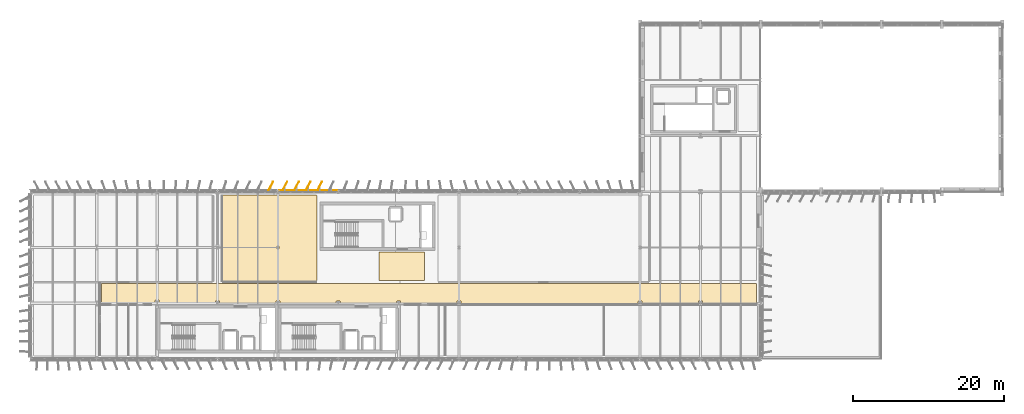
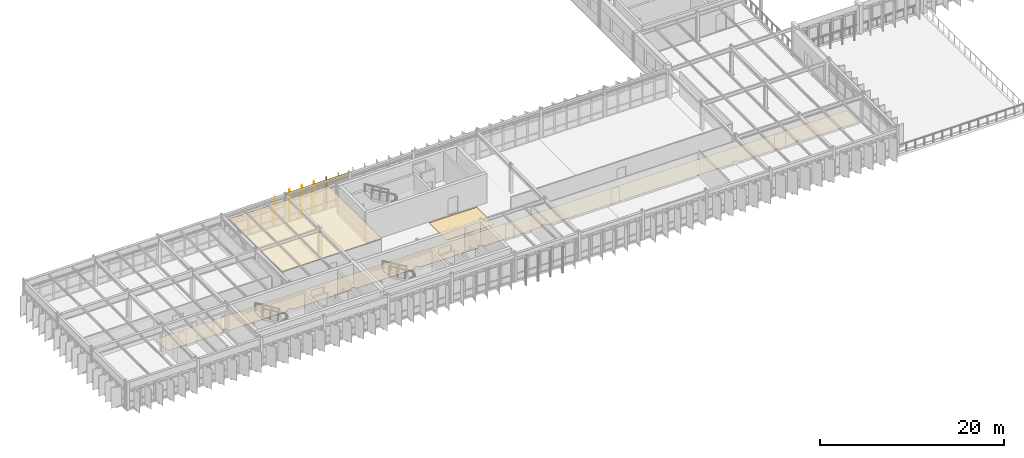
# One storey, part 41 of 45: 9 coverings.
"""IFC4 building model written with IfcOpenShell, lengths in metres."""

from ifc_helpers import new_model, si_unit, direction, frame, frame_2d, origin, origin_2d, place, context, subcontext, project, spatial, polyline, rectangle, outline, extrude, material, layer, layer_set, type_object, element, save


model = new_model("IFC4")

# Units and contexts
model_context = context("Model", 3, precision=1e-05, world=origin(), true_north=direction((0.0, 1.0)))
body_context = subcontext(model_context, "Body", "Model", "MODEL_VIEW")
ifc_project = project(units=[si_unit("LENGTHUNIT", "METRE"), si_unit("AREAUNIT", "SQUARE_METRE"), si_unit("VOLUMEUNIT", "CUBIC_METRE"), si_unit("PLANEANGLEUNIT", "RADIAN"), si_unit("MASSUNIT", "GRAM", prefix="KILO")], contexts=[model_context])

# Site, building, storey
site_placement = place(None, origin())
site = spatial("IfcSite", under=ifc_project, at=site_placement, CompositionType="ELEMENT")
building_placement = place(site_placement, origin())
building = spatial("IfcBuilding", under=site, at=building_placement, Name="Valkorina Park Police Headquarters", CompositionType="ELEMENT")
storey_placement = place(building_placement, frame((0.0, 0.0, 23.300048828125)))
storey = spatial("IfcBuildingStorey", under=building, at=storey_placement, Name="L06", CompositionType="ELEMENT", Elevation=23.300048828125)

# Coverings
ifc_material_1 = material(Name="Acoustic mineral board")
ifc_layer_1 = layer(ifc_material_1, 0.02490234375)
ifc_layer_set_1 = layer_set([ifc_layer_1], Name="Acoustic mineral board")
covering_type_1 = type_object("IfcCoveringType", Name="COV-CEILING-ACOUST", PredefinedType="CEILING", material=ifc_layer_set_1)
covering_1_placement = place(storey_placement, frame((0.0, 0.0, 3.204833984375)))
element("IfcCovering", 1, at=covering_1_placement, inside=storey, type_object=covering_type_1, Name="Organized Crime Taskforce Suite Acoustic Suspended Ceiling", PredefinedType="CEILING", context=body_context, shape_type="SweptSolid", body=[
    extrude(outline(polyline([(37.8955078125, 58.758544921875), (37.8876953125, 58.759521484375), (37.8798828125, 58.760009765625), (25.52001953125, 58.760009765625), (25.51220703125, 58.759521484375), (25.50439453125, 58.758544921875), (25.496826171875, 58.756591796875), (25.489501953125, 58.75390625), (25.482421875, 58.75048828125), (25.4755859375, 58.74658203125), (25.46923828125, 58.74169921875), (25.46337890625, 58.736572265625), (25.458251953125, 58.730712890625), (25.45361328125, 58.724365234375), (25.449462890625, 58.7177734375), (25.446044921875, 58.710693359375), (25.443359375, 58.703125), (25.44140625, 58.695556640625), (25.4404296875, 58.687744140625), (25.43994140625, 58.679931640625), (25.43994140625, 47.320068359375), (25.4404296875, 47.312255859375), (25.44140625, 47.304443359375), (25.443359375, 47.296875), (25.446044921875, 47.289306640625), (25.449462890625, 47.2822265625), (25.45361328125, 47.275634765625), (25.458251953125, 47.269287109375), (25.46337890625, 47.263427734375), (25.46923828125, 47.25830078125), (25.4755859375, 47.25341796875), (25.482421875, 47.24951171875), (25.489501953125, 47.24609375), (25.496826171875, 47.243408203125), (25.50439453125, 47.241455078125), (25.51220703125, 47.240478515625), (25.52001953125, 47.239990234375), (37.8798828125, 47.239990234375), (37.8876953125, 47.240478515625), (37.8955078125, 47.241455078125), (37.9033203125, 47.243408203125), (37.91064453125, 47.24609375), (37.917724609375, 47.24951171875), (37.92431640625, 47.25341796875), (37.930908203125, 47.25830078125), (37.9365234375, 47.263427734375), (37.94189453125, 47.269287109375), (37.946533203125, 47.275634765625), (37.95068359375, 47.2822265625), (37.953857421875, 47.289306640625), (37.95654296875, 47.296875), (37.95849609375, 47.304443359375), (37.959716796875, 47.312255859375), (37.9599609375, 47.320068359375), (37.9599609375, 58.679931640625), (37.959716796875, 58.687744140625), (37.95849609375, 58.695556640625), (37.95654296875, 58.703125), (37.953857421875, 58.710693359375), (37.95068359375, 58.7177734375), (37.946533203125, 58.724365234375), (37.94189453125, 58.730712890625), (37.9365234375, 58.736572265625), (37.930908203125, 58.74169921875), (37.92431640625, 58.74658203125), (37.917724609375, 58.75048828125), (37.91064453125, 58.75390625), (37.9033203125, 58.756591796875), (37.8955078125, 58.758544921875)]), holes=[polyline([(32.64990234375, 51.97998046875), (32.949951171875, 51.97998046875), (32.949951171875, 51.6201171875), (32.64990234375, 51.6201171875), (32.64990234375, 51.97998046875)])]), origin(), (0.0, 0.0, 1.0), 0.025146484375),
])
ifc_material_2 = material(Name="Precast concrete C40/50", Category="concrete")
ifc_layer_2 = layer(ifc_material_2, 0.044921875)
ifc_layer_set_2 = layer_set([ifc_layer_2], Name="Precast concrete C40/50")
covering_type_2 = type_object("IfcCoveringType", Name="COV-CLAD-DOLOMITE", PredefinedType="CLADDING", material=ifc_layer_set_2)
covering_2_placement = place(storey_placement, frame((32.9599609375, 59.360107421875, 3.219970703125), z_axis=(0.0, 0.0, 1.0), x_axis=(1.0, 0.0, 0.0)))
element("IfcCovering", 2, at=covering_2_placement, inside=storey, type_object=covering_type_2, Name="L06 Spandrel Beam Insulated Fascia 2481", PredefinedType="CLADDING", context=body_context, shape_type="SweptSolid", body=[
    extrude(rectangle(XDim=7.679931640625, YDim=0.044921875, at=frame_2d((3.83984375, 0.0))), origin(), (0.0, 0.0, 1.0), 0.4599609375),
])
ifc_material_3 = material(Name="Resin terrazzo flooring")
ifc_layer_3 = layer(ifc_material_3, 0.030029296875)
ifc_layer_set_3 = layer_set([ifc_layer_3], Name="Resin terrazzo flooring")
covering_type_3 = type_object("IfcCoveringType", Name="COV-FLOOR-TERRAZZO", PredefinedType="FLOORING", material=ifc_layer_set_3)
covering_3_placement = place(storey_placement, origin())
element("IfcCovering", 3, at=covering_3_placement, inside=storey, type_object=covering_type_3, Name="L06 Major-Crime Investigation Corridor Terrazzo Flooring", PredefinedType="FLOORING", context=body_context, shape_type="SweptSolid", body=[
    extrude(outline(polyline([(9.39990234375, 47.0), (9.39990234375, 44.39990234375), (16.530029296875, 44.39990234375), (16.530029296875, 44.739990234375), (16.530517578125, 44.747802734375), (16.531494140625, 44.755615234375), (16.533447265625, 44.76318359375), (16.5361328125, 44.7705078125), (16.539306640625, 44.777587890625), (16.54345703125, 44.784423828125), (16.548095703125, 44.790771484375), (16.553466796875, 44.796630859375), (16.55908203125, 44.8017578125), (16.565673828125, 44.806396484375), (16.572265625, 44.810546875), (16.579345703125, 44.81396484375), (16.5869140625, 44.816650390625), (16.594482421875, 44.818603515625), (16.602294921875, 44.819580078125), (16.610107421875, 44.820068359375), (16.989990234375, 44.820068359375), (16.997802734375, 44.819580078125), (17.005615234375, 44.818603515625), (17.01318359375, 44.816650390625), (17.0205078125, 44.81396484375), (17.027587890625, 44.810546875), (17.034423828125, 44.806396484375), (17.040771484375, 44.8017578125), (17.046630859375, 44.796630859375), (17.0517578125, 44.790771484375), (17.056396484375, 44.784423828125), (17.060546875, 44.777587890625), (17.06396484375, 44.7705078125), (17.066650390625, 44.76318359375), (17.068603515625, 44.755615234375), (17.069580078125, 44.747802734375), (17.070068359375, 44.739990234375), (17.070068359375, 44.39990234375), (24.530029296875, 44.39990234375), (24.530029296875, 44.6201171875), (24.530517578125, 44.627685546875), (24.531494140625, 44.635498046875), (24.533447265625, 44.643310546875), (24.5361328125, 44.650634765625), (24.539306640625, 44.65771484375), (24.54345703125, 44.664306640625), (24.548095703125, 44.6708984375), (24.553466796875, 44.676513671875), (24.55908203125, 44.681884765625), (24.565673828125, 44.6865234375), (24.572265625, 44.690673828125), (24.579345703125, 44.69384765625), (24.5869140625, 44.696533203125), (24.594482421875, 44.698486328125), (24.602294921875, 44.69970703125), (24.610107421875, 44.699951171875), (24.989990234375, 44.699951171875), (24.997802734375, 44.69970703125), (25.005615234375, 44.698486328125), (25.01318359375, 44.696533203125), (25.0205078125, 44.69384765625), (25.027587890625, 44.690673828125), (25.034423828125, 44.6865234375), (25.040771484375, 44.681884765625), (25.046630859375, 44.676513671875), (25.0517578125, 44.6708984375), (25.056396484375, 44.664306640625), (25.060546875, 44.65771484375), (25.06396484375, 44.650634765625), (25.066650390625, 44.643310546875), (25.068603515625, 44.635498046875), (25.069580078125, 44.627685546875), (25.070068359375, 44.6201171875), (25.070068359375, 44.39990234375), (32.530029296875, 44.39990234375), (32.530029296875, 44.6201171875), (32.530517578125, 44.627685546875), (32.531494140625, 44.635498046875), (32.533447265625, 44.643310546875), (32.5361328125, 44.650634765625), (32.539306640625, 44.65771484375), (32.54345703125, 44.664306640625), (32.548095703125, 44.6708984375), (32.553466796875, 44.676513671875), (32.55908203125, 44.681884765625), (32.565673828125, 44.6865234375), (32.572265625, 44.690673828125), (32.579345703125, 44.69384765625), (32.5869140625, 44.696533203125), (32.594482421875, 44.698486328125), (32.602294921875, 44.69970703125), (32.610107421875, 44.699951171875), (32.989990234375, 44.699951171875), (32.997802734375, 44.69970703125), (33.005615234375, 44.698486328125), (33.01318359375, 44.696533203125), (33.0205078125, 44.69384765625), (33.027587890625, 44.690673828125), (33.034423828125, 44.6865234375), (33.040771484375, 44.681884765625), (33.046630859375, 44.676513671875), (33.0517578125, 44.6708984375), (33.056396484375, 44.664306640625), (33.060546875, 44.65771484375), (33.06396484375, 44.650634765625), (33.066650390625, 44.643310546875), (33.068603515625, 44.635498046875), (33.069580078125, 44.627685546875), (33.070068359375, 44.6201171875), (33.070068359375, 44.39990234375), (40.530029296875, 44.39990234375), (40.530029296875, 44.6201171875), (40.530517578125, 44.627685546875), (40.531494140625, 44.635498046875), (40.533447265625, 44.643310546875), (40.5361328125, 44.650634765625), (40.539306640625, 44.65771484375), (40.54345703125, 44.664306640625), (40.548095703125, 44.6708984375), (40.553466796875, 44.676513671875), (40.55908203125, 44.681884765625), (40.565673828125, 44.6865234375), (40.572265625, 44.690673828125), (40.579345703125, 44.69384765625), (40.5869140625, 44.696533203125), (40.594482421875, 44.698486328125), (40.602294921875, 44.69970703125), (40.610107421875, 44.699951171875), (40.989990234375, 44.699951171875), (40.997802734375, 44.69970703125), (41.005615234375, 44.698486328125), (41.01318359375, 44.696533203125), (41.0205078125, 44.69384765625), (41.027587890625, 44.690673828125), (41.034423828125, 44.6865234375), (41.040771484375, 44.681884765625), (41.046630859375, 44.676513671875), (41.0517578125, 44.6708984375), (41.056396484375, 44.664306640625), (41.060546875, 44.65771484375), (41.06396484375, 44.650634765625), (41.066650390625, 44.643310546875), (41.068603515625, 44.635498046875), (41.069580078125, 44.627685546875), (41.070068359375, 44.6201171875), (41.070068359375, 44.39990234375), (48.530029296875, 44.39990234375), (48.530029296875, 44.6201171875), (48.530517578125, 44.627685546875), (48.531494140625, 44.635498046875), (48.533447265625, 44.643310546875), (48.5361328125, 44.650634765625), (48.539306640625, 44.65771484375), (48.54345703125, 44.664306640625), (48.548095703125, 44.6708984375), (48.553466796875, 44.676513671875), (48.55908203125, 44.681884765625), (48.565673828125, 44.6865234375), (48.572265625, 44.690673828125), (48.579345703125, 44.69384765625), (48.5869140625, 44.696533203125), (48.594482421875, 44.698486328125), (48.602294921875, 44.69970703125), (48.610107421875, 44.699951171875), (48.989990234375, 44.699951171875), (48.997802734375, 44.69970703125), (49.005615234375, 44.698486328125), (49.01318359375, 44.696533203125), (49.0205078125, 44.69384765625), (49.027587890625, 44.690673828125), (49.034423828125, 44.6865234375), (49.040771484375, 44.681884765625), (49.046630859375, 44.676513671875), (49.0517578125, 44.6708984375), (49.056396484375, 44.664306640625), (49.060546875, 44.65771484375), (49.06396484375, 44.650634765625), (49.066650390625, 44.643310546875), (49.068603515625, 44.635498046875), (49.069580078125, 44.627685546875), (49.070068359375, 44.6201171875), (49.070068359375, 44.39990234375), (56.530029296875, 44.39990234375), (56.530029296875, 44.6201171875), (56.530517578125, 44.627685546875), (56.531494140625, 44.635498046875), (56.533447265625, 44.643310546875), (56.5361328125, 44.650634765625), (56.539306640625, 44.65771484375), (56.54345703125, 44.664306640625), (56.548095703125, 44.6708984375), (56.553466796875, 44.676513671875), (56.55908203125, 44.681884765625), (56.565673828125, 44.6865234375), (56.572265625, 44.690673828125), (56.579345703125, 44.69384765625), (56.5869140625, 44.696533203125), (56.594482421875, 44.698486328125), (56.602294921875, 44.69970703125), (56.610107421875, 44.699951171875), (56.989990234375, 44.699951171875), (56.997802734375, 44.69970703125), (57.005615234375, 44.698486328125), (57.01318359375, 44.696533203125), (57.0205078125, 44.69384765625), (57.027587890625, 44.690673828125), (57.034423828125, 44.6865234375), (57.040771484375, 44.681884765625), (57.046630859375, 44.676513671875), (57.0517578125, 44.6708984375), (57.056396484375, 44.664306640625), (57.060546875, 44.65771484375), (57.06396484375, 44.650634765625), (57.066650390625, 44.643310546875), (57.068603515625, 44.635498046875), (57.069580078125, 44.627685546875), (57.070068359375, 44.6201171875), (57.070068359375, 44.39990234375), (80.530029296875, 44.39990234375), (80.530029296875, 44.6201171875), (80.530517578125, 44.627685546875), (80.531494140625, 44.635498046875), (80.533447265625, 44.643310546875), (80.5361328125, 44.650634765625), (80.539306640625, 44.65771484375), (80.54345703125, 44.664306640625), (80.548095703125, 44.6708984375), (80.553466796875, 44.676513671875), (80.55908203125, 44.681884765625), (80.565673828125, 44.6865234375), (80.572265625, 44.690673828125), (80.579345703125, 44.69384765625), (80.5869140625, 44.696533203125), (80.594482421875, 44.698486328125), (80.602294921875, 44.69970703125), (80.610107421875, 44.699951171875), (80.989990234375, 44.699951171875), (80.997802734375, 44.69970703125), (81.005615234375, 44.698486328125), (81.01318359375, 44.696533203125), (81.0205078125, 44.69384765625), (81.027587890625, 44.690673828125), (81.034423828125, 44.6865234375), (81.040771484375, 44.681884765625), (81.046630859375, 44.676513671875), (81.0517578125, 44.6708984375), (81.056396484375, 44.664306640625), (81.060546875, 44.65771484375), (81.06396484375, 44.650634765625), (81.066650390625, 44.643310546875), (81.068603515625, 44.635498046875), (81.069580078125, 44.627685546875), (81.070068359375, 44.6201171875), (81.070068359375, 44.39990234375), (88.530029296875, 44.39990234375), (88.530029296875, 44.6201171875), (88.530517578125, 44.627685546875), (88.531494140625, 44.635498046875), (88.533447265625, 44.643310546875), (88.5361328125, 44.650634765625), (88.539306640625, 44.65771484375), (88.54345703125, 44.664306640625), (88.548095703125, 44.6708984375), (88.553466796875, 44.676513671875), (88.55908203125, 44.681884765625), (88.565673828125, 44.6865234375), (88.572265625, 44.690673828125), (88.579345703125, 44.69384765625), (88.5869140625, 44.696533203125), (88.594482421875, 44.698486328125), (88.602294921875, 44.69970703125), (88.610107421875, 44.699951171875), (88.989990234375, 44.699951171875), (88.997802734375, 44.69970703125), (89.005615234375, 44.698486328125), (89.01318359375, 44.696533203125), (89.0205078125, 44.69384765625), (89.027587890625, 44.690673828125), (89.034423828125, 44.6865234375), (89.040771484375, 44.681884765625), (89.046630859375, 44.676513671875), (89.0517578125, 44.6708984375), (89.056396484375, 44.664306640625), (89.060546875, 44.65771484375), (89.06396484375, 44.650634765625), (89.066650390625, 44.643310546875), (89.068603515625, 44.635498046875), (89.069580078125, 44.627685546875), (89.070068359375, 44.6201171875), (89.070068359375, 44.39990234375), (96.199951171875, 44.39990234375), (96.199951171875, 47.0), (9.39990234375, 47.0)])), origin(), (0.0, 0.0, 1.0), 0.030029296875),
])
covering_4_placement = place(storey_placement, origin())
element("IfcCovering", 4, at=covering_4_placement, inside=storey, type_object=covering_type_3, Name="L06 Core C3 Access Corridor Terrazzo Flooring", PredefinedType="FLOORING", context=body_context, shape_type="SweptSolid", body=[
    extrude(outline(polyline([(46.199951171875, 51.199951171875), (46.199951171875, 47.39990234375), (52.199951171875, 47.39990234375), (52.199951171875, 51.199951171875), (46.199951171875, 51.199951171875)])), origin(), (0.0, 0.0, 1.0), 0.030029296875),
])
ifc_material_4 = material(Name="Polychrome anodized aluminium - Baltic Amber", Category="aluminium")
ifc_layer_4 = layer(ifc_material_4, 0.06494140625)
ifc_layer_set_4 = layer_set([ifc_layer_4], Name="Polychrome anodized aluminium - Baltic Amber")
covering_type_4 = type_object("IfcCoveringType", Name="SHD-LOUVRE-AMBER", PredefinedType="CLADDING", material=ifc_layer_set_4)
covering_5_placement = place(storey_placement, frame((33.72802734375, 59.93994140625, 0.0400390625), z_axis=(0.0, 0.0, 1.0), x_axis=(0.484198902407, 0.874957954937, 0.0)))
element("IfcCovering", 5, at=covering_5_placement, inside=storey, type_object=covering_type_4, Name="V5 Polychrome Pivoting Louvre 0346", PredefinedType="CLADDING", context=body_context, shape_type="SweptSolid", body=[
    extrude(rectangle(XDim=1.280029296875, YDim=0.06494140625, at=origin_2d()), origin(), (0.0, 0.0, 1.0), 3.159912109375),
])
ifc_material_5 = material(Name="Polychrome anodized aluminium - Riga Ochre", Category="aluminium")
ifc_layer_5 = layer(ifc_material_5, 0.06494140625)
ifc_layer_set_5 = layer_set([ifc_layer_5], Name="Polychrome anodized aluminium - Riga Ochre")
covering_type_5 = type_object("IfcCoveringType", Name="SHD-LOUVRE-OCHRE", PredefinedType="CLADDING", material=ifc_layer_set_5)
covering_6_placement = place(storey_placement, frame((36.800048828125, 59.93994140625, 0.0400390625), z_axis=(0.0, 0.0, 1.0), x_axis=(0.472089250705, 0.881550758248, 0.0)))
element("IfcCovering", 6, at=covering_6_placement, inside=storey, type_object=covering_type_5, Name="V5 Polychrome Pivoting Louvre 0348", PredefinedType="CLADDING", context=body_context, shape_type="SweptSolid", body=[
    extrude(rectangle(XDim=1.280029296875, YDim=0.06494140625, at=origin_2d()), origin(), (0.0, 0.0, 1.0), 3.159912109375),
])
ifc_material_6 = material(Name="Polychrome anodized aluminium - Courland Slate Blue", Category="masonry")
ifc_layer_6 = layer(ifc_material_6, 0.06494140625)
ifc_layer_set_6 = layer_set([ifc_layer_6], Name="Polychrome anodized aluminium - Courland Slate Blue")
covering_type_6 = type_object("IfcCoveringType", Name="SHD-LOUVRE-SLATE", PredefinedType="CLADDING", material=ifc_layer_set_6)
covering_7_placement = place(storey_placement, frame((31.8720703125, 59.93994140625, 0.0400390625), z_axis=(0.0, 0.0, 1.0), x_axis=(0.473319667185, 0.880890738205, 0.0)))
element("IfcCovering", 7, at=covering_7_placement, inside=storey, type_object=covering_type_6, Name="V5 Polychrome Pivoting Louvre 0345", PredefinedType="CLADDING", context=body_context, shape_type="SweptSolid", body=[
    extrude(rectangle(XDim=1.280029296875, YDim=0.06494140625, at=origin_2d()), origin(), (0.0, 0.0, 1.0), 2.7099609375),
])
covering_8_placement = place(storey_placement, frame((38.3359375, 59.93994140625, 0.0400390625), z_axis=(0.0, 0.0, 1.0), x_axis=(0.451812006981, 0.892113171267, 0.0)))
element("IfcCovering", 8, at=covering_8_placement, inside=storey, type_object=covering_type_6, Name="V5 Polychrome Pivoting Louvre 0349", PredefinedType="CLADDING", context=body_context, shape_type="SweptSolid", body=[
    extrude(rectangle(XDim=1.280029296875, YDim=0.06494140625, at=origin_2d()), origin(), (0.0, 0.0, 1.0), 3.159912109375),
])
ifc_material_7 = material(Name="Polychrome anodized aluminium - Pine Verdigris", Category="aluminium")
ifc_layer_7 = layer(ifc_material_7, 0.06494140625)
ifc_layer_set_7 = layer_set([ifc_layer_7], Name="Polychrome anodized aluminium - Pine Verdigris")
covering_type_7 = type_object("IfcCoveringType", Name="SHD-LOUVRE-VERDIGRIS", PredefinedType="CLADDING", material=ifc_layer_set_7)
covering_9_placement = place(storey_placement, frame((35.263916015625, 59.93994140625, 0.0400390625), z_axis=(0.0, 0.0, 1.0), x_axis=(0.482823924874, 0.875717453046, 0.0)))
element("IfcCovering", 9, at=covering_9_placement, inside=storey, type_object=covering_type_7, Name="V5 Polychrome Pivoting Louvre 0347", PredefinedType="CLADDING", context=body_context, shape_type="SweptSolid", body=[
    extrude(rectangle(XDim=1.280029296875, YDim=0.06494140625, at=origin_2d()), origin(), (0.0, 0.0, 1.0), 3.159912109375),
])

save(model, "model.ifc")
